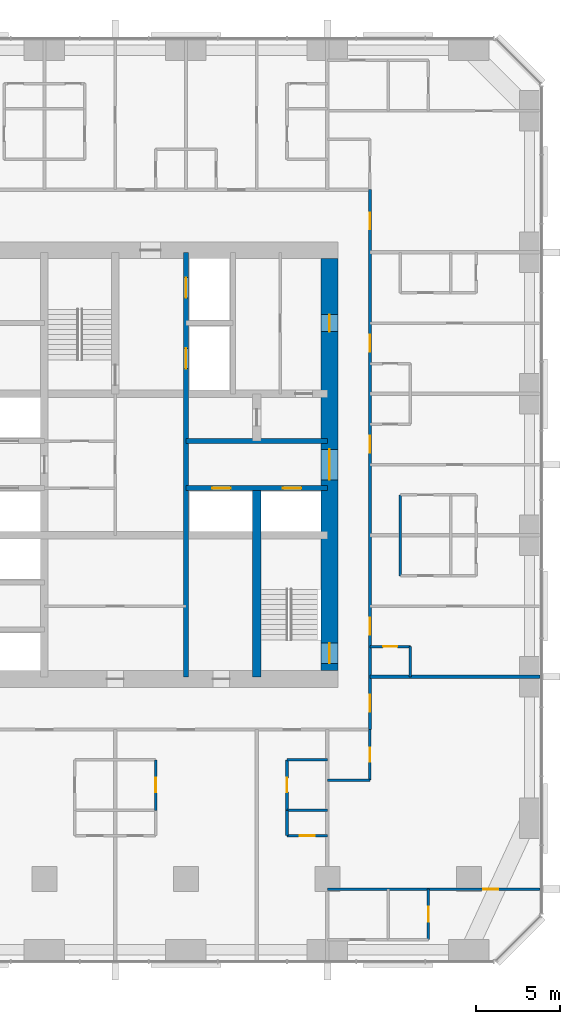
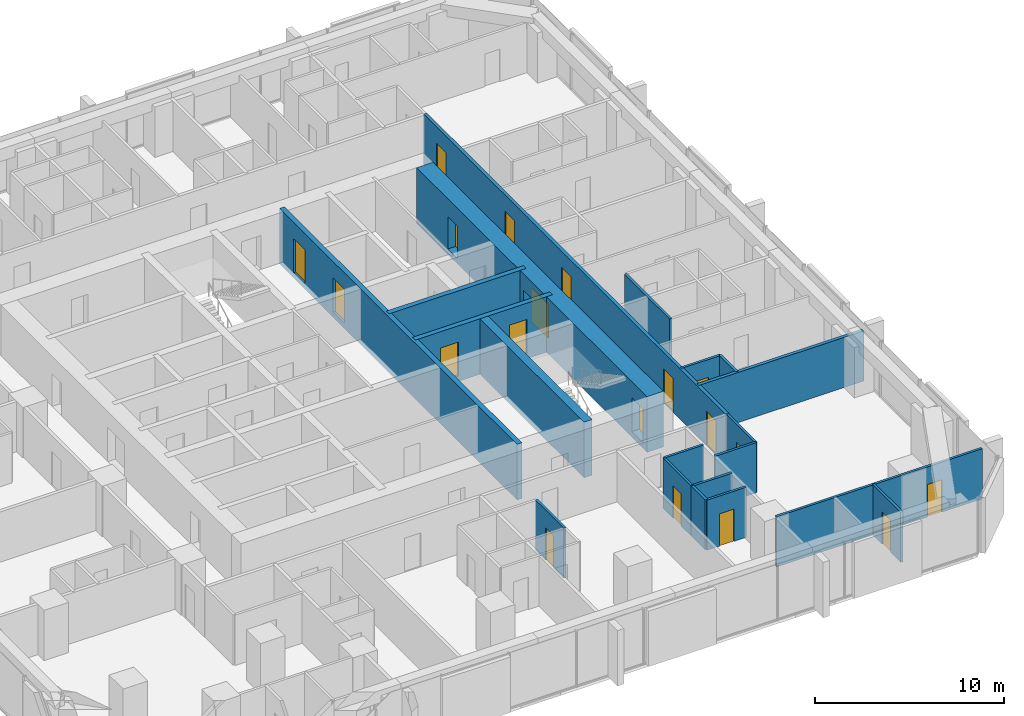
# One storey, part 10 of 14: 20 walls, 19 doors, 19 openings.
"""IFC4 building model written with IfcOpenShell, lengths in metres."""

from ifc_helpers import new_model, si_unit, direction, frame, frame_2d, origin, place, context, subcontext, project, spatial, rectangle, extrude, material, layer, layer_set, type_object, element, fill, save


model = new_model("IFC4")

# Units and contexts
model_context = context("Model", 3, precision=1e-05, world=origin(), true_north=direction((0.0, 1.0)))
body_context = subcontext(model_context, "Body", "Model", "MODEL_VIEW")
ifc_project = project(units=[si_unit("LENGTHUNIT", "METRE"), si_unit("AREAUNIT", "SQUARE_METRE"), si_unit("VOLUMEUNIT", "CUBIC_METRE"), si_unit("PLANEANGLEUNIT", "RADIAN"), si_unit("MASSUNIT", "GRAM", prefix="KILO")], contexts=[model_context])

# Site, building, storey
site_placement = place(None, origin())
site = spatial("IfcSite", under=ifc_project, at=site_placement, CompositionType="ELEMENT")
building_placement = place(site_placement, origin())
building = spatial("IfcBuilding", under=site, at=building_placement, Name="Dunama Terrace Hotel", CompositionType="ELEMENT")
storey_placement = place(building_placement, frame((0.0, 0.0, 129.60009765625)))
storey = spatial("IfcBuildingStorey", under=building, at=storey_placement, Name="L33", CompositionType="ELEMENT", Elevation=129.60009765625)

# Wall, opening, door
ifc_material_1 = material(Name="Gypsum board partition", Category="masonry")
ifc_layer_1 = layer(ifc_material_1, 0.14990234375)
ifc_layer_set_1 = layer_set([ifc_layer_1], Name="Bathroom partition 150")
wall_type_1 = type_object("IfcWallType", Name="Bathroom partition 150", PredefinedType="PARTITIONING", material=ifc_layer_set_1)
wall_1_placement = place(storey_placement, frame((31.800048828125, 8.875, 0.0), z_axis=(0.0, 0.0, 1.0), x_axis=(0.0, 1.0, 0.0)))
wall_1 = element("IfcWall", 1, at=wall_1_placement, inside=storey, type_object=wall_type_1, Name="Bathroom partition 150 L33", PredefinedType="PARTITIONING", context=body_context, shape_type="SweptSolid", body=[
    extrude(rectangle(XDim=3.0, YDim=0.14990234375, at=frame_2d((1.5, 0.0))), origin(), (0.0, 0.0, 1.0), 3.25),
])
opening_1_placement = place(wall_1_placement, frame((1.074951171875, 0.0, 0.0)))
opening_1 = element("IfcOpeningElement", 2, at=opening_1_placement, cuts=wall_1, Name="Opening L31-33-018", PredefinedType="OPENING", context=body_context, shape_type="SweptSolid", body=[
    extrude(rectangle(XDim=0.85009765625, YDim=2.10009765625, at=frame_2d((0.425048828125, 1.050048828125))), frame((0.0, 0.0849609375, 0.0), z_axis=(0.0, -1.0, 0.0), x_axis=(1.0, 0.0, 0.0)), (0.0, 0.0, 1.0), 0.169921875),
])
ifc_material_2 = material(Name="Timber door with steel frame", Category="steel")
door_type_1 = type_object("IfcDoorType", Name="Bathroom door 850", OperationType="SINGLE_SWING_LEFT", PredefinedType="DOOR", material=ifc_material_2)
door_1_placement = place(opening_1_placement, origin())
door_1 = element("IfcDoor", 3, at=door_1_placement, inside=storey, type_object=door_type_1, Name="Door to en-suite bathroom L31-33-018, type D2", OperationType="SINGLE_SWING_LEFT", OverallHeight=2.10009765625, OverallWidth=0.85009765625, PredefinedType="DOOR", context=body_context, shape_type="SweptSolid", body=[
    extrude(rectangle(XDim=0.85009765625, YDim=2.10009765625, at=frame_2d((0.425048828125, 1.050048828125))), frame((0.0, 0.02490234375, 0.0), z_axis=(0.0, -1.0, 0.0), x_axis=(1.0, 0.0, 0.0)), (0.0, 0.0, 1.0), 0.050048828125),
])
fill(opening_1, door_1)

wall_2_placement = place(storey_placement, frame((39.60009765625, 8.875, 0.0), z_axis=(0.0, 0.0, 1.0), x_axis=(0.0, 1.0, 0.0)))
wall_2 = element("IfcWall", 4, at=wall_2_placement, inside=storey, type_object=wall_type_1, Name="Bathroom partition 150 L33", PredefinedType="PARTITIONING", context=body_context, shape_type="SweptSolid", body=[
    extrude(rectangle(XDim=3.0, YDim=0.14990234375, at=frame_2d((1.5, 0.0))), origin(), (0.0, 0.0, 1.0), 3.25),
])
opening_2_placement = place(wall_2_placement, frame((1.074951171875, 0.0, 0.0)))
opening_2 = element("IfcOpeningElement", 5, at=opening_2_placement, cuts=wall_2, Name="Opening L31-33-021", PredefinedType="OPENING", context=body_context, shape_type="SweptSolid", body=[
    extrude(rectangle(XDim=0.85009765625, YDim=2.10009765625, at=frame_2d((0.425048828125, 1.050048828125))), frame((0.0, 0.0849609375, 0.0), z_axis=(0.0, -1.0, 0.0), x_axis=(1.0, 0.0, 0.0)), (0.0, 0.0, 1.0), 0.169921875),
])
door_2_placement = place(opening_2_placement, frame((0.85009765625, 0.0, 0.0), z_axis=(0.0, 0.0, 1.0), x_axis=(-1.0, 0.0, 0.0)))
door_2 = element("IfcDoor", 6, at=door_2_placement, inside=storey, type_object=door_type_1, Name="Door to en-suite bathroom L31-33-021, type D2", OperationType="SINGLE_SWING_RIGHT", OverallHeight=2.10009765625, OverallWidth=0.85009765625, PredefinedType="DOOR", context=body_context, shape_type="SweptSolid", body=[
    extrude(rectangle(XDim=0.85009765625, YDim=2.10009765625, at=frame_2d((0.425048828125, 1.050048828125))), frame((0.0, 0.025146484375, 0.0), z_axis=(0.0, -1.0, 0.0), x_axis=(1.0, 0.0, 0.0)), (0.0, 0.0, 1.0), 0.050048828125),
])
fill(opening_2, door_2)

wall_3_placement = place(storey_placement, frame((44.52490234375, 10.675048828125, 0.0), z_axis=(0.0, 0.0, 1.0), x_axis=(0.0, 1.0, 0.0)))
wall_3 = element("IfcWall", 7, at=wall_3_placement, inside=storey, type_object=wall_type_1, Name="Bathroom partition 150 L33", PredefinedType="PARTITIONING", context=body_context, shape_type="SweptSolid", body=[
    extrude(rectangle(XDim=3.0, YDim=0.14990234375, at=frame_2d((1.5, 0.0))), origin(), (0.0, 0.0, 1.0), 3.25),
])
opening_3_placement = place(wall_3_placement, frame((1.074951171875, 0.0, 0.0)))
opening_3 = element("IfcOpeningElement", 8, at=opening_3_placement, cuts=wall_3, Name="Opening L31-33-068", PredefinedType="OPENING", context=body_context, shape_type="SweptSolid", body=[
    extrude(rectangle(XDim=0.85009765625, YDim=2.10009765625, at=frame_2d((0.425048828125, 1.050048828125))), frame((0.0, 0.0849609375, 0.0), z_axis=(0.0, -1.0, 0.0), x_axis=(1.0, 0.0, 0.0)), (0.0, 0.0, 1.0), 0.169921875),
])
door_3_placement = place(opening_3_placement, origin())
door_3 = element("IfcDoor", 9, at=door_3_placement, inside=storey, type_object=door_type_1, Name="Door to powder room L31-33-068, type D2", OperationType="SINGLE_SWING_RIGHT", OverallHeight=2.10009765625, OverallWidth=0.85009765625, PredefinedType="DOOR", context=body_context, shape_type="SweptSolid", body=[
    extrude(rectangle(XDim=0.85009765625, YDim=2.10009765625, at=frame_2d((0.425048828125, 1.050048828125))), frame((0.0, 0.02490234375, 0.0), z_axis=(0.0, -1.0, 0.0), x_axis=(1.0, 0.0, 0.0)), (0.0, 0.0, 1.0), 0.050048828125),
])
fill(opening_3, door_3)

# Walls
wall_4_placement = place(storey_placement, frame((46.324951171875, 22.800048828125, 0.0), z_axis=(0.0, 0.0, 1.0), x_axis=(0.0, 1.0, 0.0)))
element("IfcWall", 10, at=wall_4_placement, inside=storey, type_object=wall_type_1, Name="Bathroom partition 150 L33", PredefinedType="PARTITIONING", context=body_context, shape_type="SweptSolid", body=[
    extrude(rectangle(XDim=4.800048828125, YDim=0.14990234375, at=frame_2d((2.39990234375, 0.0))), origin(), (0.0, 0.0, 1.0), 3.25),
])
wall_5_placement = place(storey_placement, frame((46.925048828125, 16.800048828125, 0.0), z_axis=(0.0, 0.0, 1.0), x_axis=(0.0, 1.0, 0.0)))
element("IfcWall", 11, at=wall_5_placement, inside=storey, type_object=wall_type_1, Name="Bathroom partition 150 L33", PredefinedType="PARTITIONING", context=body_context, shape_type="SweptSolid", body=[
    extrude(rectangle(XDim=1.800048828125, YDim=0.14990234375, at=frame_2d((0.89990234375, 0.0))), origin(), (0.0, 0.0, 1.0), 3.25),
])
wall_6_placement = place(storey_placement, frame((42.0, 10.675048828125, 0.0), z_axis=(0.0, 0.0, 1.0), x_axis=(1.0, 0.0, 0.0)))
element("IfcWall", 12, at=wall_6_placement, inside=storey, type_object=wall_type_1, Name="Bathroom partition 150 L33", PredefinedType="PARTITIONING", context=body_context, shape_type="SweptSolid", body=[
    extrude(rectangle(XDim=2.52490234375, YDim=0.14990234375, at=frame_2d((1.262451171875, 0.0))), origin(), (0.0, 0.0, 1.0), 3.25),
])
wall_7_placement = place(storey_placement, frame((39.60009765625, 11.875, 0.0), z_axis=(0.0, 0.0, 1.0), x_axis=(1.0, 0.0, 0.0)))
element("IfcWall", 13, at=wall_7_placement, inside=storey, type_object=wall_type_1, Name="Bathroom partition 150 L33", PredefinedType="PARTITIONING", context=body_context, shape_type="SweptSolid", body=[
    extrude(rectangle(XDim=2.39990234375, YDim=0.14990234375, at=frame_2d((1.199951171875, 0.0))), origin(), (0.0, 0.0, 1.0), 3.25),
])

# Wall, opening, door
wall_8_placement = place(storey_placement, frame((44.52490234375, 18.60009765625, 0.0), z_axis=(0.0, 0.0, 1.0), x_axis=(1.0, 0.0, 0.0)))
wall_8 = element("IfcWall", 14, at=wall_8_placement, inside=storey, type_object=wall_type_1, Name="Bathroom partition 150 L33", PredefinedType="PARTITIONING", context=body_context, shape_type="SweptSolid", body=[
    extrude(rectangle(XDim=2.400146484375, YDim=0.14990234375, at=frame_2d((1.2001953125, 0.0))), origin(), (0.0, 0.0, 1.0), 3.25),
])
opening_4_placement = place(wall_8_placement, frame((0.77490234375, 0.0, 0.0)))
opening_4 = element("IfcOpeningElement", 15, at=opening_4_placement, cuts=wall_8, Name="Opening L31-33-024", PredefinedType="OPENING", context=body_context, shape_type="SweptSolid", body=[
    extrude(rectangle(XDim=0.85009765625, YDim=2.10009765625, at=frame_2d((0.425048828125, 1.050048828125))), frame((0.0, 0.0849609375, 0.0), z_axis=(0.0, -1.0, 0.0), x_axis=(1.0, 0.0, 0.0)), (0.0, 0.0, 1.0), 0.169921875),
])
door_4_placement = place(opening_4_placement, frame((0.85009765625, 0.0, 0.0), z_axis=(0.0, 0.0, 1.0), x_axis=(-1.0, 0.0, 0.0)))
door_4 = element("IfcDoor", 16, at=door_4_placement, inside=storey, type_object=door_type_1, Name="Door to powder room L31-33-024, type D2", OperationType="SINGLE_SWING_RIGHT", OverallHeight=2.10009765625, OverallWidth=0.85009765625, PredefinedType="DOOR", context=body_context, shape_type="SweptSolid", body=[
    extrude(rectangle(XDim=0.85009765625, YDim=2.10009765625, at=frame_2d((0.425048828125, 1.050048828125))), frame((0.0, 0.025146484375, 0.0), z_axis=(0.0, -1.0, 0.0), x_axis=(1.0, 0.0, 0.0)), (0.0, 0.0, 1.0), 0.050048828125),
])
fill(opening_4, door_4)

# Wall, openings, doors
ifc_material_3 = material(Name="Concrete C50/60", Category="concrete")
ifc_layer_2 = layer(ifc_material_3, 0.300048828125)
ifc_layer_set_2 = layer_set([ifc_layer_2], Name="Core inner wall 300")
wall_type_2 = type_object("IfcWallType", Name="Core inner wall 300", PredefinedType="SHEAR", material=ifc_layer_set_2)
wall_9_placement = place(storey_placement, frame((33.60009765625, 16.800048828125, -0.35009765625), z_axis=(0.0, 0.0, 1.0), x_axis=(0.0, 1.0, 0.0)))
wall_9 = element("IfcWall", 17, at=wall_9_placement, inside=storey, type_object=wall_type_2, Name="Core inner wall 300 L33", PredefinedType="SHEAR", context=body_context, shape_type="SweptSolid", body=[
    extrude(rectangle(XDim=25.199951171875, YDim=0.300048828125, at=frame_2d((12.60009765625, 0.0))), origin(), (0.0, 0.0, 1.0), 3.60009765625),
])
opening_5_placement = place(wall_9_placement, frame((22.5, 0.0, 0.35009765625)))
opening_5 = element("IfcOpeningElement", 18, at=opening_5_placement, cuts=wall_9, Name="Opening L31-33-009", PredefinedType="OPENING", context=body_context, shape_type="SweptSolid", body=[
    extrude(rectangle(XDim=1.199951171875, YDim=2.199951171875, at=frame_2d((0.60009765625, 1.10009765625))), frame((0.0, 0.159912109375, 0.0), z_axis=(0.0, -1.0, 0.0), x_axis=(1.0, 0.0, 0.0)), (0.0, 0.0, 1.0), 0.320068359375),
])
opening_6_placement = place(wall_9_placement, frame((18.300048828125, 0.0, 0.35009765625)))
opening_6 = element("IfcOpeningElement", 19, at=opening_6_placement, cuts=wall_9, Name="Opening L31-33-010", PredefinedType="OPENING", context=body_context, shape_type="SweptSolid", body=[
    extrude(rectangle(XDim=1.199951171875, YDim=2.199951171875, at=frame_2d((0.60009765625, 1.10009765625))), frame((0.0, 0.159912109375, 0.0), z_axis=(0.0, -1.0, 0.0), x_axis=(1.0, 0.0, 0.0)), (0.0, 0.0, 1.0), 0.320068359375),
])
ifc_material_4 = material(Name="Stainless steel lift door", Category="steel")
door_type_2 = type_object("IfcDoorType", Name="Firefighting lift landing door 1200", OperationType="DOUBLE_DOOR_SLIDING", PredefinedType="DOOR", material=ifc_material_4)
door_5_placement = place(opening_5_placement, origin())
door_5 = element("IfcDoor", 20, at=door_5_placement, inside=storey, type_object=door_type_2, Name="Landing door FL1 L31-33-009, type LD2", OperationType="DOUBLE_DOOR_SLIDING", OverallHeight=2.199951171875, OverallWidth=1.199951171875, PredefinedType="DOOR", context=body_context, shape_type="SweptSolid", body=[
    extrude(rectangle(XDim=1.199951171875, YDim=2.199951171875, at=frame_2d((0.60009765625, 1.10009765625))), frame((0.0, 0.02490234375, 0.0), z_axis=(0.0, -1.0, 0.0), x_axis=(1.0, 0.0, 0.0)), (0.0, 0.0, 1.0), 0.050048828125),
])
fill(opening_5, door_5)
door_6_placement = place(opening_6_placement, origin())
door_6 = element("IfcDoor", 21, at=door_6_placement, inside=storey, type_object=door_type_2, Name="Landing door FL2 L31-33-010, type LD2", OperationType="DOUBLE_DOOR_SLIDING", OverallHeight=2.199951171875, OverallWidth=1.199951171875, PredefinedType="DOOR", context=body_context, shape_type="SweptSolid", body=[
    extrude(rectangle(XDim=1.199951171875, YDim=2.199951171875, at=frame_2d((0.60009765625, 1.10009765625))), frame((0.0, 0.02490234375, 0.0), z_axis=(0.0, -1.0, 0.0), x_axis=(1.0, 0.0, 0.0)), (0.0, 0.0, 1.0), 0.050048828125),
])
fill(opening_6, door_6)

wall_10_placement = place(storey_placement, frame((33.60009765625, 28.0, -0.35009765625), z_axis=(0.0, 0.0, 1.0), x_axis=(1.0, 0.0, 0.0)))
wall_10 = element("IfcWall", 22, at=wall_10_placement, inside=storey, type_object=wall_type_2, Name="Core inner wall 300 L33", PredefinedType="SHEAR", context=body_context, shape_type="SweptSolid", body=[
    extrude(rectangle(XDim=8.39990234375, YDim=0.300048828125, at=frame_2d((4.199951171875, 0.0))), origin(), (0.0, 0.0, 1.0), 3.60009765625),
])
opening_7_placement = place(wall_10_placement, frame((1.550048828125, 0.0, 0.35009765625)))
opening_7 = element("IfcOpeningElement", 23, at=opening_7_placement, cuts=wall_10, Name="Opening L31-33-003", PredefinedType="OPENING", context=body_context, shape_type="SweptSolid", body=[
    extrude(rectangle(XDim=1.10009765625, YDim=2.199951171875, at=frame_2d((0.550048828125, 1.10009765625))), frame((0.0, 0.159912109375, 0.0), z_axis=(0.0, -1.0, 0.0), x_axis=(1.0, 0.0, 0.0)), (0.0, 0.0, 1.0), 0.320068359375),
])
opening_8_placement = place(wall_10_placement, frame((5.75, 0.0, 0.35009765625)))
opening_8 = element("IfcOpeningElement", 24, at=opening_8_placement, cuts=wall_10, Name="Opening L31-33-004", PredefinedType="OPENING", context=body_context, shape_type="SweptSolid", body=[
    extrude(rectangle(XDim=1.10009765625, YDim=2.199951171875, at=frame_2d((0.550048828125, 1.10009765625))), frame((0.0, 0.159912109375, 0.0), z_axis=(0.0, -1.0, 0.0), x_axis=(1.0, 0.0, 0.0)), (0.0, 0.0, 1.0), 0.320068359375),
])
ifc_material_5 = material(Name="Stainless steel lift door", Category="steel")
door_type_3 = type_object("IfcDoorType", Name="Lift landing door 1100", OperationType="DOUBLE_DOOR_SLIDING", PredefinedType="DOOR", material=ifc_material_5)
door_7_placement = place(opening_7_placement, origin())
door_7 = element("IfcDoor", 25, at=door_7_placement, inside=storey, type_object=door_type_3, Name="Landing door PB1 L31-33-003, type LD1", OperationType="DOUBLE_DOOR_SLIDING", OverallHeight=2.199951171875, OverallWidth=1.10009765625, PredefinedType="DOOR", context=body_context, shape_type="SweptSolid", body=[
    extrude(rectangle(XDim=1.10009765625, YDim=2.199951171875, at=frame_2d((0.550048828125, 1.10009765625))), frame((0.0, 0.02490234375, 0.0), z_axis=(0.0, -1.0, 0.0), x_axis=(1.0, 0.0, 0.0)), (0.0, 0.0, 1.0), 0.050048828125),
])
fill(opening_7, door_7)
door_8_placement = place(opening_8_placement, origin())
door_8 = element("IfcDoor", 26, at=door_8_placement, inside=storey, type_object=door_type_3, Name="Landing door PB2 L31-33-004, type LD1", OperationType="DOUBLE_DOOR_SLIDING", OverallHeight=2.199951171875, OverallWidth=1.10009765625, PredefinedType="DOOR", context=body_context, shape_type="SweptSolid", body=[
    extrude(rectangle(XDim=1.10009765625, YDim=2.199951171875, at=frame_2d((0.550048828125, 1.10009765625))), frame((0.0, 0.02490234375, 0.0), z_axis=(0.0, -1.0, 0.0), x_axis=(1.0, 0.0, 0.0)), (0.0, 0.0, 1.0), 0.050048828125),
])
fill(opening_8, door_8)

# Walls
wall_11_placement = place(storey_placement, frame((33.60009765625, 30.800048828125, -0.35009765625), z_axis=(0.0, 0.0, 1.0), x_axis=(1.0, 0.0, 0.0)))
element("IfcWall", 27, at=wall_11_placement, inside=storey, type_object=wall_type_2, Name="Core inner wall 300 L33", PredefinedType="SHEAR", context=body_context, shape_type="SweptSolid", body=[
    extrude(rectangle(XDim=8.39990234375, YDim=0.300048828125, at=frame_2d((4.199951171875, 0.0))), origin(), (0.0, 0.0, 1.0), 3.60009765625),
])
ifc_material_6 = material(Name="Concrete C50/60", Category="concrete")
ifc_layer_3 = layer(ifc_material_6, 0.5)
ifc_layer_set_3 = layer_set([ifc_layer_3], Name="Core inner wall 500")
wall_type_3 = type_object("IfcWallType", Name="Core inner wall 500", PredefinedType="SHEAR", material=ifc_layer_set_3)
wall_12_placement = place(storey_placement, frame((37.800048828125, 16.800048828125, -0.35009765625), z_axis=(0.0, 0.0, 1.0), x_axis=(0.0, 1.0, 0.0)))
element("IfcWall", 28, at=wall_12_placement, inside=storey, type_object=wall_type_3, Name="Core inner wall 500 L33", PredefinedType="SHEAR", context=body_context, shape_type="SweptSolid", body=[
    extrude(rectangle(XDim=11.199951171875, YDim=0.5, at=frame_2d((5.60009765625, 0.0))), origin(), (0.0, 0.0, 1.0), 3.60009765625),
])

# Wall, openings, doors
ifc_material_7 = material(Name="Concrete C60/75", Category="concrete")
ifc_layer_4 = layer(ifc_material_7, 1.0)
ifc_layer_set_4 = layer_set([ifc_layer_4], Name="Core wall 1000")
wall_type_4 = type_object("IfcWallType", Name="Core wall 1000", PredefinedType="SHEAR", material=ifc_layer_set_4)
wall_13_placement = place(storey_placement, frame((42.125, 17.175048828125, -0.35009765625), z_axis=(0.0, 0.0, 1.0), x_axis=(0.0, 1.0, 0.0)))
wall_13 = element("IfcWall", 29, at=wall_13_placement, inside=storey, type_object=wall_type_4, Name="Core wall east L33", PredefinedType="SHEAR", context=body_context, shape_type="SweptSolid", body=[
    extrude(rectangle(XDim=24.449951171875, YDim=1.0, at=frame_2d((12.22509765625, 0.0))), origin(), (0.0, 0.0, 1.0), 3.60009765625),
])
opening_9_placement = place(wall_13_placement, frame((0.425048828125, 0.0, 0.35009765625)))
opening_9 = element("IfcOpeningElement", 30, at=opening_9_placement, cuts=wall_13, Name="Opening L31-33-002", PredefinedType="OPENING", context=body_context, shape_type="SweptSolid", body=[
    extrude(rectangle(XDim=1.199951171875, YDim=2.199951171875, at=frame_2d((0.60009765625, 1.10009765625))), frame((0.0, 0.510009765625, 0.0), z_axis=(0.0, -1.0, 0.0), x_axis=(1.0, 0.0, 0.0)), (0.0, 0.0, 1.0), 1.02001953125),
])
opening_10_placement = place(wall_13_placement, frame((11.324951171875, 0.0, 0.35009765625)))
opening_10 = element("IfcOpeningElement", 31, at=opening_10_placement, cuts=wall_13, Name="Opening L31-33-092", PredefinedType="OPENING", context=body_context, shape_type="SweptSolid", body=[
    extrude(rectangle(XDim=1.800048828125, YDim=2.199951171875, at=frame_2d((0.89990234375, 1.10009765625))), frame((0.0, 0.510009765625, 0.0), z_axis=(0.0, -1.0, 0.0), x_axis=(1.0, 0.0, 0.0)), (0.0, 0.0, 1.0), 1.02001953125),
])
opening_11_placement = place(wall_13_placement, frame((20.125, 0.0, 0.35009765625)))
opening_11 = element("IfcOpeningElement", 32, at=opening_11_placement, cuts=wall_13, Name="Opening L31-33-094", PredefinedType="OPENING", context=body_context, shape_type="SweptSolid", body=[
    extrude(rectangle(XDim=1.0, YDim=2.10009765625, at=frame_2d((0.5, 1.050048828125))), frame((0.0, 0.510009765625, 0.0), z_axis=(0.0, -1.0, 0.0), x_axis=(1.0, 0.0, 0.0)), (0.0, 0.0, 1.0), 1.02001953125),
])
ifc_material_8 = material(Name="Timber door with steel frame", Category="steel")
door_type_4 = type_object("IfcDoorType", Name="Lift lobby double door 1800", OperationType="DOUBLE_DOOR_DOUBLE_SWING", PredefinedType="DOOR", material=ifc_material_8)
door_9_placement = place(opening_10_placement, origin())
door_9 = element("IfcDoor", 33, at=door_9_placement, inside=storey, type_object=door_type_4, Name="Door to lift lobby L31-33-092, type D3", OperationType="DOUBLE_DOOR_DOUBLE_SWING", OverallHeight=2.199951171875, OverallWidth=1.800048828125, PredefinedType="DOOR", context=body_context, shape_type="SweptSolid", body=[
    extrude(rectangle(XDim=1.800048828125, YDim=2.199951171875, at=frame_2d((0.89990234375, 1.10009765625))), frame((0.0, 0.02490234375, 0.0), z_axis=(0.0, -1.0, 0.0), x_axis=(1.0, 0.0, 0.0)), (0.0, 0.0, 1.0), 0.050048828125),
])
fill(opening_10, door_9)
ifc_material_9 = material(Name="Timber door with steel frame", Category="steel")
door_type_5 = type_object("IfcDoorType", Name="Service door 1000", OperationType="SINGLE_SWING_LEFT", PredefinedType="DOOR", material=ifc_material_9)
door_10_placement = place(opening_11_placement, origin())
door_10 = element("IfcDoor", 34, at=door_10_placement, inside=storey, type_object=door_type_5, Name="Door to linen store L31-33-094, type D7", OperationType="SINGLE_SWING_LEFT", OverallHeight=2.10009765625, OverallWidth=1.0, PredefinedType="DOOR", context=body_context, shape_type="SweptSolid", body=[
    extrude(rectangle(XDim=1.0, YDim=2.10009765625, at=frame_2d((0.5, 1.050048828125))), frame((0.0, 0.02490234375, 0.0), z_axis=(0.0, -1.0, 0.0), x_axis=(1.0, 0.0, 0.0)), (0.0, 0.0, 1.0), 0.050048828125),
])
fill(opening_11, door_10)
ifc_material_10 = material(Name="Timber door with steel frame", Category="steel")
door_type_6 = type_object("IfcDoorType", Name="Stair door 1200", OperationType="SINGLE_SWING_LEFT", PredefinedType="DOOR", material=ifc_material_10)
door_11_placement = place(opening_9_placement, origin())
door_11 = element("IfcDoor", 35, at=door_11_placement, inside=storey, type_object=door_type_6, Name="Stair door ST2 L31-33-002, type D5", OperationType="SINGLE_SWING_LEFT", OverallHeight=2.199951171875, OverallWidth=1.199951171875, PredefinedType="DOOR", context=body_context, shape_type="SweptSolid", body=[
    extrude(rectangle(XDim=1.199951171875, YDim=2.199951171875, at=frame_2d((0.60009765625, 1.10009765625))), frame((0.0, 0.02490234375, 0.0), z_axis=(0.0, -1.0, 0.0), x_axis=(1.0, 0.0, 0.0)), (0.0, 0.0, 1.0), 0.050048828125),
])
fill(opening_9, door_11)

ifc_material_11 = material(Name="Concrete blockwork", Category="masonry")
ifc_layer_5 = layer(ifc_material_11, 0.199951171875)
ifc_layer_set_5 = layer_set([ifc_layer_5], Name="Corridor partition 200")
wall_type_5 = type_object("IfcWallType", Name="Corridor partition 200", PredefinedType="PARTITIONING", material=ifc_layer_set_5)
wall_14_placement = place(storey_placement, frame((44.52490234375, 45.72509765625, 0.0), z_axis=(0.0, 0.0, 1.0), x_axis=(0.0, -1.0, 0.0)))
wall_14 = element("IfcWall", 36, at=wall_14_placement, inside=storey, type_object=wall_type_5, Name="Corridor partition 200 L33", PredefinedType="PARTITIONING", context=body_context, shape_type="SweptSolid", body=[
    extrude(rectangle(XDim=32.050048828125, YDim=0.199951171875, at=frame_2d((16.02490234375, 0.0))), origin(), (0.0, 0.0, 1.0), 3.25),
])
opening_12_placement = place(wall_14_placement, frame((25.425048828125, 0.0, 0.0)))
opening_12 = element("IfcOpeningElement", 37, at=opening_12_placement, cuts=wall_14, Name="Opening L31-33-023", PredefinedType="OPENING", context=body_context, shape_type="SweptSolid", body=[
    extrude(rectangle(XDim=1.0, YDim=2.199951171875, at=frame_2d((0.5, 1.10009765625))), frame((0.0, 0.10986328125, 0.0), z_axis=(0.0, -1.0, 0.0), x_axis=(1.0, 0.0, 0.0)), (0.0, 0.0, 1.0), 0.219970703125),
])
opening_13_placement = place(wall_14_placement, frame((14.625, 0.0, 0.0)))
opening_13 = element("IfcOpeningElement", 38, at=opening_13_placement, cuts=wall_14, Name="Opening L31-33-028", PredefinedType="OPENING", context=body_context, shape_type="SweptSolid", body=[
    extrude(rectangle(XDim=1.0, YDim=2.199951171875, at=frame_2d((0.5, 1.10009765625))), frame((0.0, 0.10986328125, 0.0), z_axis=(0.0, -1.0, 0.0), x_axis=(1.0, 0.0, 0.0)), (0.0, 0.0, 1.0), 0.219970703125),
])
opening_14_placement = place(wall_14_placement, frame((8.625, 0.0, 0.0)))
opening_14 = element("IfcOpeningElement", 39, at=opening_14_placement, cuts=wall_14, Name="Opening L31-33-033", PredefinedType="OPENING", context=body_context, shape_type="SweptSolid", body=[
    extrude(rectangle(XDim=1.0, YDim=2.199951171875, at=frame_2d((0.5, 1.10009765625))), frame((0.0, 0.10986328125, 0.0), z_axis=(0.0, -1.0, 0.0), x_axis=(1.0, 0.0, 0.0)), (0.0, 0.0, 1.0), 0.219970703125),
])
opening_15_placement = place(wall_14_placement, frame((29.987060546875, 0.0, 0.0)))
opening_15 = element("IfcOpeningElement", 40, at=opening_15_placement, cuts=wall_14, Name="Opening L31-33-067", PredefinedType="OPENING", context=body_context, shape_type="SweptSolid", body=[
    extrude(rectangle(XDim=1.0, YDim=2.199951171875, at=frame_2d((0.5, 1.10009765625))), frame((0.0, 0.10986328125, 0.0), z_axis=(0.0, -1.0, 0.0), x_axis=(1.0, 0.0, 0.0)), (0.0, 0.0, 1.0), 0.219970703125),
])
opening_16_placement = place(wall_14_placement, frame((1.363037109375, 0.0, 0.0)))
opening_16 = element("IfcOpeningElement", 41, at=opening_16_placement, cuts=wall_14, Name="Opening L31-33-072", PredefinedType="OPENING", context=body_context, shape_type="SweptSolid", body=[
    extrude(rectangle(XDim=1.0, YDim=2.199951171875, at=frame_2d((0.5, 1.10009765625))), frame((0.0, 0.10986328125, 0.0), z_axis=(0.0, -1.0, 0.0), x_axis=(1.0, 0.0, 0.0)), (0.0, 0.0, 1.0), 0.219970703125),
])
ifc_material_12 = material(Name="Timber door with steel frame", Category="steel")
door_type_7 = type_object("IfcDoorType", Name="Guest room door 1000", OperationType="SINGLE_SWING_LEFT", PredefinedType="DOOR", material=ifc_material_12)
door_12_placement = place(opening_12_placement, origin())
door_12 = element("IfcDoor", 42, at=door_12_placement, inside=storey, type_object=door_type_7, Name="Door to executive suite living room L31-33-023, type D1", OperationType="SINGLE_SWING_LEFT", OverallHeight=2.199951171875, OverallWidth=1.0, PredefinedType="DOOR", context=body_context, shape_type="SweptSolid", body=[
    extrude(rectangle(XDim=1.0, YDim=2.199951171875, at=frame_2d((0.5, 1.10009765625))), frame((0.0, 0.02490234375, 0.0), z_axis=(0.0, -1.0, 0.0), x_axis=(1.0, 0.0, 0.0)), (0.0, 0.0, 1.0), 0.050048828125),
])
fill(opening_12, door_12)
door_13_placement = place(opening_13_placement, origin())
door_13 = element("IfcDoor", 43, at=door_13_placement, inside=storey, type_object=door_type_7, Name="Door to executive suite living room L31-33-028, type D1", OperationType="SINGLE_SWING_LEFT", OverallHeight=2.199951171875, OverallWidth=1.0, PredefinedType="DOOR", context=body_context, shape_type="SweptSolid", body=[
    extrude(rectangle(XDim=1.0, YDim=2.199951171875, at=frame_2d((0.5, 1.10009765625))), frame((0.0, 0.02490234375, 0.0), z_axis=(0.0, -1.0, 0.0), x_axis=(1.0, 0.0, 0.0)), (0.0, 0.0, 1.0), 0.050048828125),
])
fill(opening_13, door_13)
door_14_placement = place(opening_14_placement, origin())
door_14 = element("IfcDoor", 44, at=door_14_placement, inside=storey, type_object=door_type_7, Name="Door to executive suite living room L31-33-033, type D1", OperationType="SINGLE_SWING_LEFT", OverallHeight=2.199951171875, OverallWidth=1.0, PredefinedType="DOOR", context=body_context, shape_type="SweptSolid", body=[
    extrude(rectangle(XDim=1.0, YDim=2.199951171875, at=frame_2d((0.5, 1.10009765625))), frame((0.0, 0.02490234375, 0.0), z_axis=(0.0, -1.0, 0.0), x_axis=(1.0, 0.0, 0.0)), (0.0, 0.0, 1.0), 0.050048828125),
])
fill(opening_14, door_14)
door_15_placement = place(opening_15_placement, origin())
door_15 = element("IfcDoor", 45, at=door_15_placement, inside=storey, type_object=door_type_7, Name="Door to corner suite living room L31-33-067, type D1", OperationType="SINGLE_SWING_LEFT", OverallHeight=2.199951171875, OverallWidth=1.0, PredefinedType="DOOR", context=body_context, shape_type="SweptSolid", body=[
    extrude(rectangle(XDim=1.0, YDim=2.199951171875, at=frame_2d((0.5, 1.10009765625))), frame((0.0, 0.02490234375, 0.0), z_axis=(0.0, -1.0, 0.0), x_axis=(1.0, 0.0, 0.0)), (0.0, 0.0, 1.0), 0.050048828125),
])
fill(opening_15, door_15)
door_16_placement = place(opening_16_placement, origin())
door_16 = element("IfcDoor", 46, at=door_16_placement, inside=storey, type_object=door_type_7, Name="Door to corner suite living room L31-33-072, type D1", OperationType="SINGLE_SWING_RIGHT", OverallHeight=2.199951171875, OverallWidth=1.0, PredefinedType="DOOR", context=body_context, shape_type="SweptSolid", body=[
    extrude(rectangle(XDim=1.0, YDim=2.199951171875, at=frame_2d((0.5, 1.10009765625))), frame((0.0, 0.02490234375, 0.0), z_axis=(0.0, -1.0, 0.0), x_axis=(1.0, 0.0, 0.0)), (0.0, 0.0, 1.0), 0.050048828125),
])
fill(opening_16, door_16)

# Walls
ifc_material_13 = material(Name="Concrete blockwork", Category="masonry")
ifc_layer_6 = layer(ifc_material_13, 0.199951171875)
ifc_layer_set_6 = layer_set([ifc_layer_6], Name="Party wall 200")
wall_type_6 = type_object("IfcWallType", Name="Party wall 200", PredefinedType="PARTITIONING", material=ifc_layer_set_6)
wall_15_placement = place(storey_placement, frame((44.52490234375, 16.800048828125, 0.0), z_axis=(0.0, 0.0, 1.0), x_axis=(1.0, 0.0, 0.0)))
element("IfcWall", 47, at=wall_15_placement, inside=storey, type_object=wall_type_6, Name="Party wall 200 L33", PredefinedType="PARTITIONING", context=body_context, shape_type="SweptSolid", body=[
    extrude(rectangle(XDim=10.093017578125, YDim=0.199951171875, at=frame_2d((5.04638671875, 0.0))), origin(), (0.0, 0.0, 1.0), 3.25),
])
ifc_material_14 = material(Name="Gypsum board partition", Category="masonry")
ifc_layer_7 = layer(ifc_material_14, 0.14990234375)
ifc_layer_set_7 = layer_set([ifc_layer_7], Name="Room partition 150")
wall_type_7 = type_object("IfcWallType", Name="Room partition 150", PredefinedType="PARTITIONING", material=ifc_layer_set_7)
wall_16_placement = place(storey_placement, frame((39.60009765625, 7.375, 0.0), z_axis=(0.0, 0.0, 1.0), x_axis=(0.0, 1.0, 0.0)))
element("IfcWall", 48, at=wall_16_placement, inside=storey, type_object=wall_type_7, Name="Room partition 150 L33", PredefinedType="PARTITIONING", context=body_context, shape_type="SweptSolid", body=[
    extrude(rectangle(XDim=1.5, YDim=0.14990234375, at=frame_2d((0.75, 0.0))), origin(), (0.0, 0.0, 1.0), 3.25),
])

# Wall, opening, door
wall_17_placement = place(storey_placement, frame((48.0, 1.199951171875, 0.0), z_axis=(0.0, 0.0, 1.0), x_axis=(0.0, 1.0, 0.0)))
wall_17 = element("IfcWall", 49, at=wall_17_placement, inside=storey, type_object=wall_type_7, Name="Room partition 150 L33", PredefinedType="PARTITIONING", context=body_context, shape_type="SweptSolid", body=[
    extrude(rectangle(XDim=3.0, YDim=0.14990234375, at=frame_2d((1.5, 0.0))), origin(), (0.0, 0.0, 1.0), 3.25),
])
opening_17_placement = place(wall_17_placement, frame((1.050048828125, 0.0, 0.0)))
opening_17 = element("IfcOpeningElement", 50, at=opening_17_placement, cuts=wall_17, Name="Opening L31-33-071", PredefinedType="OPENING", context=body_context, shape_type="SweptSolid", body=[
    extrude(rectangle(XDim=0.89990234375, YDim=2.10009765625, at=frame_2d((0.449951171875, 1.050048828125))), frame((0.0, 0.0849609375, 0.0), z_axis=(0.0, -1.0, 0.0), x_axis=(1.0, 0.0, 0.0)), (0.0, 0.0, 1.0), 0.169921875),
])
ifc_material_15 = material(Name="Timber door with steel frame", Category="steel")
door_type_8 = type_object("IfcDoorType", Name="Suite internal door 900", OperationType="SINGLE_SWING_LEFT", PredefinedType="DOOR", material=ifc_material_15)
door_17_placement = place(opening_17_placement, origin())
door_17 = element("IfcDoor", 51, at=door_17_placement, inside=storey, type_object=door_type_8, Name="Door to dressing room L31-33-071, type D16", OperationType="SINGLE_SWING_LEFT", OverallHeight=2.10009765625, OverallWidth=0.89990234375, PredefinedType="DOOR", context=body_context, shape_type="SweptSolid", body=[
    extrude(rectangle(XDim=0.89990234375, YDim=2.10009765625, at=frame_2d((0.449951171875, 1.050048828125))), frame((0.0, 0.02490234375, 0.0), z_axis=(0.0, -1.0, 0.0), x_axis=(1.0, 0.0, 0.0)), (0.0, 0.0, 1.0), 0.050048828125),
])
fill(opening_17, door_17)

wall_18_placement = place(storey_placement, frame((42.0, 4.199951171875, 0.0), z_axis=(0.0, 0.0, 1.0), x_axis=(1.0, 0.0, 0.0)))
wall_18 = element("IfcWall", 52, at=wall_18_placement, inside=storey, type_object=wall_type_7, Name="Room partition 150 L33", PredefinedType="PARTITIONING", context=body_context, shape_type="SweptSolid", body=[
    extrude(rectangle(XDim=12.617919921875, YDim=0.14990234375, at=frame_2d((6.30908203125, 0.0))), origin(), (0.0, 0.0, 1.0), 3.25),
])
opening_18_placement = place(wall_18_placement, frame((9.25, 0.0, 0.0)))
opening_18 = element("IfcOpeningElement", 53, at=opening_18_placement, cuts=wall_18, Name="Opening L31-33-069", PredefinedType="OPENING", context=body_context, shape_type="SweptSolid", body=[
    extrude(rectangle(XDim=0.89990234375, YDim=2.10009765625, at=frame_2d((0.449951171875, 1.050048828125))), frame((0.0, 0.0849609375, 0.0), z_axis=(0.0, -1.0, 0.0), x_axis=(1.0, 0.0, 0.0)), (0.0, 0.0, 1.0), 0.169921875),
])
door_18_placement = place(opening_18_placement, frame((0.89990234375, 0.0, 0.0), z_axis=(0.0, 0.0, 1.0), x_axis=(-1.0, 0.0, 0.0)))
door_18 = element("IfcDoor", 54, at=door_18_placement, inside=storey, type_object=door_type_8, Name="Door to corner suite bedroom L31-33-069, type D16", OperationType="SINGLE_SWING_RIGHT", OverallHeight=2.10009765625, OverallWidth=0.89990234375, PredefinedType="DOOR", context=body_context, shape_type="SweptSolid", body=[
    extrude(rectangle(XDim=0.89990234375, YDim=2.10009765625, at=frame_2d((0.449951171875, 1.050048828125))), frame((0.0, 0.025146484375, 0.0), z_axis=(0.0, -1.0, 0.0), x_axis=(1.0, 0.0, 0.0)), (0.0, 0.0, 1.0), 0.050048828125),
])
fill(opening_18, door_18)

wall_19_placement = place(storey_placement, frame((39.60009765625, 7.375, 0.0), z_axis=(0.0, 0.0, 1.0), x_axis=(1.0, 0.0, 0.0)))
wall_19 = element("IfcWall", 55, at=wall_19_placement, inside=storey, type_object=wall_type_7, Name="Room partition 150 L33", PredefinedType="PARTITIONING", context=body_context, shape_type="SweptSolid", body=[
    extrude(rectangle(XDim=2.39990234375, YDim=0.14990234375, at=frame_2d((1.199951171875, 0.0))), origin(), (0.0, 0.0, 1.0), 3.25),
])
opening_19_placement = place(wall_19_placement, frame((0.75, 0.0, 0.0)))
opening_19 = element("IfcOpeningElement", 56, at=opening_19_placement, cuts=wall_19, Name="Opening L31-33-022", PredefinedType="OPENING", context=body_context, shape_type="SweptSolid", body=[
    extrude(rectangle(XDim=0.89990234375, YDim=2.10009765625, at=frame_2d((0.449951171875, 1.050048828125))), frame((0.0, 0.0849609375, 0.0), z_axis=(0.0, -1.0, 0.0), x_axis=(1.0, 0.0, 0.0)), (0.0, 0.0, 1.0), 0.169921875),
])
door_19_placement = place(opening_19_placement, origin())
door_19 = element("IfcDoor", 57, at=door_19_placement, inside=storey, type_object=door_type_8, Name="Door to walk-in wardrobe L31-33-022, type D16", OperationType="SINGLE_SWING_LEFT", OverallHeight=2.10009765625, OverallWidth=0.89990234375, PredefinedType="DOOR", context=body_context, shape_type="SweptSolid", body=[
    extrude(rectangle(XDim=0.89990234375, YDim=2.10009765625, at=frame_2d((0.449951171875, 1.050048828125))), frame((0.0, 0.02490234375, 0.0), z_axis=(0.0, -1.0, 0.0), x_axis=(1.0, 0.0, 0.0)), (0.0, 0.0, 1.0), 0.050048828125),
])
fill(opening_19, door_19)

# Wall
wall_20_placement = place(storey_placement, frame((39.60009765625, 8.875, 0.0), z_axis=(0.0, 0.0, 1.0), x_axis=(1.0, 0.0, 0.0)))
element("IfcWall", 58, at=wall_20_placement, inside=storey, type_object=wall_type_7, Name="Room partition 150 L33", PredefinedType="PARTITIONING", context=body_context, shape_type="SweptSolid", body=[
    extrude(rectangle(XDim=2.39990234375, YDim=0.14990234375, at=frame_2d((1.199951171875, 0.0))), origin(), (0.0, 0.0, 1.0), 3.25),
])

save(model, "model.ifc")
